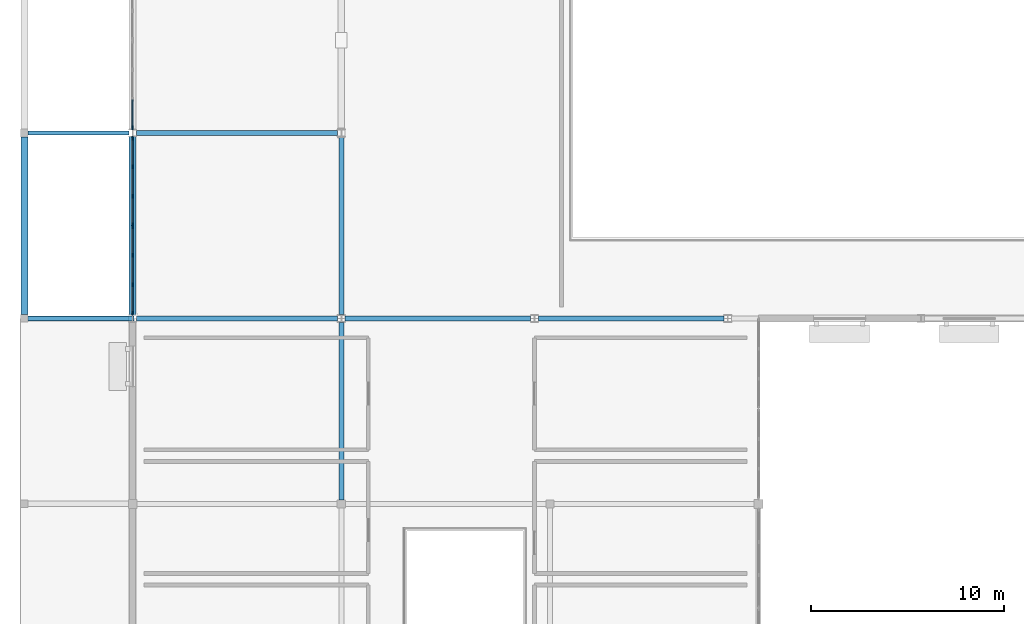
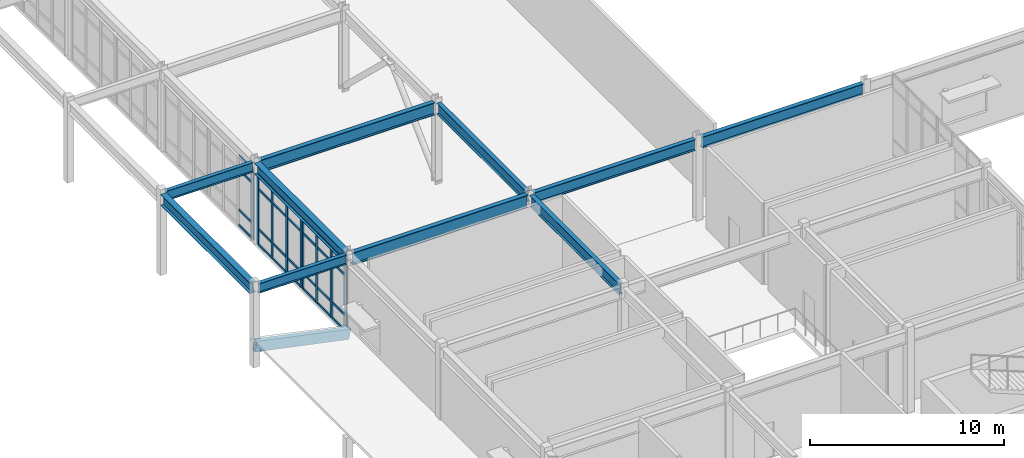
# One storey, part 12 of 72: 38 members, 10 beams, 4 elements without a shape of their own.
"""IFC4 building model written with IfcOpenShell, lengths in metres."""

from ifc_helpers import new_model, si_unit, direction, frame, origin, origin_2d, place, context, subcontext, project, spatial, rectangle, i_section, extrude, material, material_profile, profile_set, type_object, element, aggregate, save


model = new_model("IFC4")

# Units and contexts
model_context = context("Model", 3, precision=1e-05, world=origin(), true_north=direction((0.0, 1.0)))
body_context = subcontext(model_context, "Body", "Model", "MODEL_VIEW")
ifc_project = project(units=[si_unit("LENGTHUNIT", "METRE"), si_unit("AREAUNIT", "SQUARE_METRE"), si_unit("VOLUMEUNIT", "CUBIC_METRE"), si_unit("PLANEANGLEUNIT", "RADIAN"), si_unit("MASSUNIT", "GRAM", prefix="KILO")], contexts=[model_context])

# Site, building, storey
site_placement = place(None, origin())
site = spatial("IfcSite", under=ifc_project, at=site_placement, CompositionType="ELEMENT")
building_placement = place(site_placement, origin())
building = spatial("IfcBuilding", under=site, at=building_placement, Name="Veldera Park Congress Hotel", CompositionType="ELEMENT")
storey_placement = place(building_placement, frame((0.0, 0.0, 5.39990234375)))
storey = spatial("IfcBuildingStorey", under=building, at=storey_placement, Name="L01", CompositionType="ELEMENT", Elevation=5.39990234375)

# Beams
ifc_material_1 = material(Name="Steel ASTM A992 Gr.50", Category="steel")
ifc_material_profile_1 = material_profile(ifc_material_1, i_section(OverallWidth=0.22900390625, OverallDepth=0.612060546875, WebThickness=0.011962890625, FlangeThickness=0.01953125, at=origin_2d()), Name="W24X84")
ifc_profile_set_1 = profile_set([ifc_material_profile_1], Name="Steel ASTM A992 Gr.50")
beam_type_1 = type_object("IfcBeamType", Name="BM-W24", PredefinedType="BEAM", material=ifc_profile_set_1)
for number, where, z_axis, x_axis, name in (
    (1, (-83.60498046875, -21.0, 4.82421875), (1.0, 0.0, 0.0), (0.0, 1.0, 0.0), "L01 Girder BM-W24 569"),
    (2, (-83.60498046875, -11.39990234375, 4.82421875), (1.0, 0.0, 0.0), (0.0, 1.0, 0.0), "L01 Girder BM-W24 580"),
):
    element("IfcBeam", number, at=place(storey_placement, frame(where, z_axis=z_axis, x_axis=x_axis)), inside=storey, type_object=beam_type_1, Name=name, PredefinedType="BEAM", context=body_context, shape_type="SweptSolid", body=[
        extrude(i_section(OverallWidth=0.22900390625, OverallDepth=0.612060546875, WebThickness=0.011962890625, FlangeThickness=0.01953125, at=origin_2d()), origin(), (0.0, 0.0, 1.0), 5.2080078125),
    ])
ifc_material_profile_2 = material_profile(ifc_material_1, i_section(OverallWidth=0.256103515625, OverallDepth=0.693115234375, WebThickness=0.014404296875, FlangeThickness=0.023681640625, at=origin_2d()), Name="W27X114")
ifc_profile_set_2 = profile_set([ifc_material_profile_2], Name="Steel ASTM A992 Gr.50")
beam_type_2 = type_object("IfcBeamType", Name="BM-W27", PredefinedType="BEAM", material=ifc_profile_set_2)
beam_1_placement = place(storey_placement, frame((-67.39990234375, -30.389892578125, 4.78369140625), z_axis=(0.0, 1.0, 0.0), x_axis=(-1.0, 0.0, 0.0)))
element("IfcBeam", 3, at=beam_1_placement, inside=storey, type_object=beam_type_2, Name="L01 Girder BM-W27 676", PredefinedType="BEAM", context=body_context, shape_type="SweptSolid", body=[
    extrude(i_section(OverallWidth=0.256103515625, OverallDepth=0.693115234375, WebThickness=0.014404296875, FlangeThickness=0.023681640625, at=origin_2d()), origin(), (0.0, 0.0, 1.0), 9.1904296875),
])
beam_2_placement = place(storey_placement, frame((-67.39990234375, -20.800537109375, 4.78369140625), z_axis=(0.0, 1.0, 0.0), x_axis=(-1.0, 0.0, 0.0)))
element("IfcBeam", 4, at=beam_2_placement, inside=storey, type_object=beam_type_2, Name="L01 Girder BM-W27 677", PredefinedType="BEAM", context=body_context, shape_type="SweptSolid", body=[
    extrude(i_section(OverallWidth=0.256103515625, OverallDepth=0.693115234375, WebThickness=0.014404296875, FlangeThickness=0.023681640625, at=origin_2d()), origin(), (0.0, 0.0, 1.0), 9.200927734375),
])
ifc_material_profile_3 = material_profile(ifc_material_1, i_section(OverallWidth=0.25390625, OverallDepth=0.700927734375, WebThickness=0.015380859375, FlangeThickness=0.02783203125, at=origin_2d()), Name="W27X129")
ifc_profile_set_3 = profile_set([ifc_material_profile_3], Name="Steel ASTM A992 Gr.50")
beam_type_3 = type_object("IfcBeamType", Name="BM-W27B", PredefinedType="BEAM", material=ifc_profile_set_3)
beam_3_placement = place(storey_placement, frame((-67.199462890625, -21.0, 4.779541015625), z_axis=(1.0, 0.0, 0.0), x_axis=(0.0, 1.0, 0.0)))
element("IfcBeam", 5, at=beam_3_placement, inside=storey, type_object=beam_type_3, Name="L01 Girder BM-W27B 571", PredefinedType="BEAM", context=body_context, shape_type="SweptSolid", body=[
    extrude(i_section(OverallWidth=0.25390625, OverallDepth=0.700927734375, WebThickness=0.015380859375, FlangeThickness=0.02783203125, at=origin_2d()), origin(), (0.0, 0.0, 1.0), 9.6015625),
])
beam_4_placement = place(storey_placement, frame((-57.201904296875, -21.0, 4.779541015625), z_axis=(1.0, 0.0, 0.0), x_axis=(0.0, 1.0, 0.0)))
element("IfcBeam", 6, at=beam_4_placement, inside=storey, type_object=beam_type_3, Name="L01 Girder BM-W27B 572", PredefinedType="BEAM", context=body_context, shape_type="SweptSolid", body=[
    extrude(i_section(OverallWidth=0.25390625, OverallDepth=0.700927734375, WebThickness=0.015380859375, FlangeThickness=0.02783203125, at=origin_2d()), origin(), (0.0, 0.0, 1.0), 9.60400390625),
])
ifc_material_profile_4 = material_profile(ifc_material_1, i_section(OverallWidth=0.35498046875, OverallDepth=0.696044921875, WebThickness=0.015380859375, FlangeThickness=0.02490234375, at=origin_2d()), Name="W27X146")
ifc_profile_set_4 = profile_set([ifc_material_profile_4], Name="Steel ASTM A992 Gr.50")
beam_type_4 = type_object("IfcBeamType", Name="BM-W27E", PredefinedType="BEAM", material=ifc_profile_set_4)
beam_5_placement = place(storey_placement, frame((-83.800048828125, -20.804931640625, 4.781982421875), z_axis=(0.0, 1.0, 0.0), x_axis=(-1.0, 0.0, 0.0)))
element("IfcBeam", 7, at=beam_5_placement, inside=storey, type_object=beam_type_4, Name="L01 Girder BM-W27E 659", PredefinedType="BEAM", context=body_context, shape_type="SweptSolid", body=[
    extrude(i_section(OverallWidth=0.35498046875, OverallDepth=0.696044921875, WebThickness=0.015380859375, FlangeThickness=0.02490234375, at=origin_2d()), origin(), (0.0, 0.0, 1.0), 9.2099609375),
])
beam_6_placement = place(storey_placement, frame((-78.199951171875, -20.8125, 4.781982421875), z_axis=(0.0, 1.0, 0.0), x_axis=(-1.0, 0.0, 0.0)))
element("IfcBeam", 8, at=beam_6_placement, inside=storey, type_object=beam_type_4, Name="L01 Girder BM-W27E 668", PredefinedType="BEAM", context=body_context, shape_type="SweptSolid", body=[
    extrude(i_section(OverallWidth=0.35498046875, OverallDepth=0.696044921875, WebThickness=0.015380859375, FlangeThickness=0.02490234375, at=origin_2d()), origin(), (0.0, 0.0, 1.0), 9.22509765625),
])
ifc_material_profile_5 = material_profile(ifc_material_1, i_section(OverallWidth=0.26708984375, OverallDepth=0.779052734375, WebThickness=0.0166015625, FlangeThickness=0.030029296875, at=origin_2d()), Name="W30X148")
ifc_profile_set_5 = profile_set([ifc_material_profile_5], Name="Steel ASTM A992 Gr.50")
beam_type_5 = type_object("IfcBeamType", Name="BM-W30", PredefinedType="BEAM", material=ifc_profile_set_5)
for number, where, z_axis, x_axis, name in (
    (9, (-78.0029296875, -21.0, 4.740478515625), (1.0, 0.0, 0.0), (0.0, 1.0, 0.0), "L01 Girder BM-W30 570"),
    (10, (-78.0029296875, -11.39990234375, 4.740478515625), (1.0, 0.0, 0.0), (0.0, 1.0, 0.0), "L01 Girder BM-W30 581"),
):
    element("IfcBeam", number, at=place(storey_placement, frame(where, z_axis=z_axis, x_axis=x_axis)), inside=storey, type_object=beam_type_5, Name=name, PredefinedType="BEAM", context=body_context, shape_type="SweptSolid", body=[
        extrude(i_section(OverallWidth=0.26708984375, OverallDepth=0.779052734375, WebThickness=0.0166015625, FlangeThickness=0.030029296875, at=origin_2d()), origin(), (0.0, 0.0, 1.0), 10.40234375),
    ])

# Curtain wall, member
ifc_material_2 = material(Name="Low-E Triple Insulating Glass Unit (SHGC 0.22)", Category="glass")
curtain_wall_type = type_object("IfcCurtainWallType", Name="CW-CNG", PredefinedType="NOTDEFINED", material=ifc_material_2)
curtain_wall_1_placement = place(storey_placement, origin())
curtain_wall_1 = element("IfcCurtainWall", 11, at=curtain_wall_1_placement, inside=storey, type_object=curtain_wall_type, Name="L01 Curtain Wall CW3-V1W-L01-018", PredefinedType="NOTDEFINED")
ifc_material_3 = material(Name="Anodised Aluminium Alloy 6063-T6", Category="aluminium")
ifc_material_profile_6 = material_profile(ifc_material_3, rectangle(XDim=0.074951171875, YDim=0.199951171875, at=origin_2d()), Name="ALU 75x200")
ifc_profile_set_6 = profile_set([ifc_material_profile_6], Name="Anodised Aluminium Alloy 6063-T6")
member_type_1 = type_object("IfcMemberType", Name="CWM-200", PredefinedType="MULLION", material=ifc_profile_set_6)
member_1_placement = place(storey_placement, frame((-78.199951171875, -11.135009765625, 0.0), z_axis=(0.0, 0.0, 1.0), x_axis=(1.0, 0.0, 0.0)))
member_1 = element("IfcMember", 12, at=member_1_placement, type_object=member_type_1, Name="CW-CNG mullion 4", PredefinedType="MULLION", context=body_context, shape_type="SweptSolid", body=[
    extrude(rectangle(XDim=0.074951171875, YDim=0.199951171875, at=origin_2d()), origin(), (0.0, 0.0, 1.0), 4.42919921875),
])

# Curtain wall, members
curtain_wall_2_placement = place(storey_placement, origin())
curtain_wall_2 = element("IfcCurtainWall", 13, at=curtain_wall_2_placement, inside=storey, type_object=curtain_wall_type, Name="L01 Curtain Wall CW3-V1W-L01-019", PredefinedType="NOTDEFINED")
member_2_placement = place(storey_placement, frame((-78.199951171875, -11.6650390625, 0.0), z_axis=(0.0, 0.0, 1.0), x_axis=(1.0, 0.0, 0.0)))
member_2 = element("IfcMember", 14, at=member_2_placement, type_object=member_type_1, Name="CW-CNG mullion 1", PredefinedType="MULLION", context=body_context, shape_type="SweptSolid", body=[
    extrude(rectangle(XDim=0.074951171875, YDim=0.199951171875, at=origin_2d()), origin(), (0.0, 0.0, 1.0), 4.42919921875),
])
member_3_placement = place(storey_placement, frame((-78.199951171875, -13.146728515625, 0.0), z_axis=(0.0, 0.0, 1.0), x_axis=(1.0, 0.0, 0.0)))
member_3 = element("IfcMember", 15, at=member_3_placement, type_object=member_type_1, Name="CW-CNG mullion 2", PredefinedType="MULLION", context=body_context, shape_type="SweptSolid", body=[
    extrude(rectangle(XDim=0.074951171875, YDim=0.199951171875, at=origin_2d()), origin(), (0.0, 0.0, 1.0), 4.42919921875),
])
member_4_placement = place(storey_placement, frame((-78.199951171875, -14.665771484375, 0.0), z_axis=(0.0, 0.0, 1.0), x_axis=(1.0, 0.0, 0.0)))
member_4 = element("IfcMember", 16, at=member_4_placement, type_object=member_type_1, Name="CW-CNG mullion 3", PredefinedType="MULLION", context=body_context, shape_type="SweptSolid", body=[
    extrude(rectangle(XDim=0.074951171875, YDim=0.199951171875, at=origin_2d()), origin(), (0.0, 0.0, 1.0), 4.42919921875),
])
member_5_placement = place(storey_placement, frame((-78.199951171875, -16.1474609375, 0.0), z_axis=(0.0, 0.0, 1.0), x_axis=(1.0, 0.0, 0.0)))
member_5 = element("IfcMember", 17, at=member_5_placement, type_object=member_type_1, Name="CW-CNG mullion 4", PredefinedType="MULLION", context=body_context, shape_type="SweptSolid", body=[
    extrude(rectangle(XDim=0.074951171875, YDim=0.199951171875, at=origin_2d()), origin(), (0.0, 0.0, 1.0), 4.42919921875),
])

curtain_wall_3_placement = place(storey_placement, origin())
curtain_wall_3 = element("IfcCurtainWall", 18, at=curtain_wall_3_placement, inside=storey, type_object=curtain_wall_type, Name="L01 Curtain Wall CW3-V1W-L01-020", PredefinedType="NOTDEFINED")
member_6_placement = place(storey_placement, frame((-78.199951171875, -16.25244140625, 0.0), z_axis=(0.0, 0.0, 1.0), x_axis=(1.0, 0.0, 0.0)))
member_6 = element("IfcMember", 19, at=member_6_placement, type_object=member_type_1, Name="CW-CNG mullion 1", PredefinedType="MULLION", context=body_context, shape_type="SweptSolid", body=[
    extrude(rectangle(XDim=0.074951171875, YDim=0.199951171875, at=origin_2d()), origin(), (0.0, 0.0, 1.0), 4.42919921875),
])
member_7_placement = place(storey_placement, frame((-78.199951171875, -17.734130859375, 0.0), z_axis=(0.0, 0.0, 1.0), x_axis=(1.0, 0.0, 0.0)))
member_7 = element("IfcMember", 20, at=member_7_placement, type_object=member_type_1, Name="CW-CNG mullion 2", PredefinedType="MULLION", context=body_context, shape_type="SweptSolid", body=[
    extrude(rectangle(XDim=0.074951171875, YDim=0.199951171875, at=origin_2d()), origin(), (0.0, 0.0, 1.0), 4.42919921875),
])
member_8_placement = place(storey_placement, frame((-78.199951171875, -19.25341796875, 0.0), z_axis=(0.0, 0.0, 1.0), x_axis=(1.0, 0.0, 0.0)))
member_8 = element("IfcMember", 21, at=member_8_placement, type_object=member_type_1, Name="CW-CNG mullion 3", PredefinedType="MULLION", context=body_context, shape_type="SweptSolid", body=[
    extrude(rectangle(XDim=0.074951171875, YDim=0.199951171875, at=origin_2d()), origin(), (0.0, 0.0, 1.0), 4.42919921875),
])
member_9_placement = place(storey_placement, frame((-78.199951171875, -20.735107421875, 0.0), z_axis=(0.0, 0.0, 1.0), x_axis=(1.0, 0.0, 0.0)))
member_9 = element("IfcMember", 22, at=member_9_placement, type_object=member_type_1, Name="CW-CNG mullion 4", PredefinedType="MULLION", context=body_context, shape_type="SweptSolid", body=[
    extrude(rectangle(XDim=0.074951171875, YDim=0.199951171875, at=origin_2d()), origin(), (0.0, 0.0, 1.0), 4.42919921875),
])

# Member
ifc_material_profile_7 = material_profile(ifc_material_3, rectangle(XDim=0.074951171875, YDim=0.14990234375, at=origin_2d()), Name="ALU 75x150")
ifc_profile_set_7 = profile_set([ifc_material_profile_7], Name="Anodised Aluminium Alloy 6063-T6")
member_type_2 = type_object("IfcMemberType", Name="CWT-150", PredefinedType="USERDEFINED", material=ifc_profile_set_7)
member_10_placement = place(storey_placement, frame((-78.199951171875, -9.69091796875, 0.03759765625), z_axis=(0.0, -1.0, 0.0), x_axis=(1.0, 0.0, 0.0)))
member_10 = element("IfcMember", 23, at=member_10_placement, type_object=member_type_2, Name="CW-CNG transom 3.1", ObjectType="TRANSOM", PredefinedType="USERDEFINED", context=body_context, shape_type="SweptSolid", body=[
    extrude(rectangle(XDim=0.074951171875, YDim=0.14990234375, at=origin_2d()), origin(), (0.0, 0.0, 1.0), 1.406494140625),
])

member_11_placement = place(storey_placement, frame((-78.199951171875, -9.69091796875, 1.0), z_axis=(0.0, -1.0, 0.0), x_axis=(1.0, 0.0, 0.0)))
member_11 = element("IfcMember", 24, at=member_11_placement, type_object=member_type_2, Name="CW-CNG transom 3.2", ObjectType="TRANSOM", PredefinedType="USERDEFINED", context=body_context, shape_type="SweptSolid", body=[
    extrude(rectangle(XDim=0.074951171875, YDim=0.14990234375, at=origin_2d()), origin(), (0.0, 0.0, 1.0), 1.406494140625),
])

member_12_placement = place(storey_placement, frame((-78.199951171875, -9.69091796875, 3.529052734375), z_axis=(0.0, -1.0, 0.0), x_axis=(1.0, 0.0, 0.0)))
member_12 = element("IfcMember", 25, at=member_12_placement, type_object=member_type_2, Name="CW-CNG transom 3.3", ObjectType="TRANSOM", PredefinedType="USERDEFINED", context=body_context, shape_type="SweptSolid", body=[
    extrude(rectangle(XDim=0.074951171875, YDim=0.14990234375, at=origin_2d()), origin(), (0.0, 0.0, 1.0), 1.406494140625),
])

member_13_placement = place(storey_placement, frame((-78.199951171875, -9.69091796875, 4.3916015625), z_axis=(0.0, -1.0, 0.0), x_axis=(1.0, 0.0, 0.0)))
member_13 = element("IfcMember", 26, at=member_13_placement, type_object=member_type_2, Name="CW-CNG transom 3.4", ObjectType="TRANSOM", PredefinedType="USERDEFINED", context=body_context, shape_type="SweptSolid", body=[
    extrude(rectangle(XDim=0.074951171875, YDim=0.14990234375, at=origin_2d()), origin(), (0.0, 0.0, 1.0), 1.406494140625),
])

aggregate(curtain_wall_1, [member_1, member_10, member_11, member_12, member_13])

member_14_placement = place(storey_placement, frame((-78.199951171875, -11.702392578125, 0.03759765625), z_axis=(0.0, -1.0, 0.0), x_axis=(1.0, 0.0, 0.0)))
member_14 = element("IfcMember", 27, at=member_14_placement, type_object=member_type_2, Name="CW-CNG transom 1.1", ObjectType="TRANSOM", PredefinedType="USERDEFINED", context=body_context, shape_type="SweptSolid", body=[
    extrude(rectangle(XDim=0.074951171875, YDim=0.14990234375, at=origin_2d()), origin(), (0.0, 0.0, 1.0), 1.40673828125),
])

member_15_placement = place(storey_placement, frame((-78.199951171875, -11.702392578125, 1.0), z_axis=(0.0, -1.0, 0.0), x_axis=(1.0, 0.0, 0.0)))
member_15 = element("IfcMember", 28, at=member_15_placement, type_object=member_type_2, Name="CW-CNG transom 1.2", ObjectType="TRANSOM", PredefinedType="USERDEFINED", context=body_context, shape_type="SweptSolid", body=[
    extrude(rectangle(XDim=0.074951171875, YDim=0.14990234375, at=origin_2d()), origin(), (0.0, 0.0, 1.0), 1.40673828125),
])

member_16_placement = place(storey_placement, frame((-78.199951171875, -11.702392578125, 3.529052734375), z_axis=(0.0, -1.0, 0.0), x_axis=(1.0, 0.0, 0.0)))
member_16 = element("IfcMember", 29, at=member_16_placement, type_object=member_type_2, Name="CW-CNG transom 1.3", ObjectType="TRANSOM", PredefinedType="USERDEFINED", context=body_context, shape_type="SweptSolid", body=[
    extrude(rectangle(XDim=0.074951171875, YDim=0.14990234375, at=origin_2d()), origin(), (0.0, 0.0, 1.0), 1.40673828125),
])

member_17_placement = place(storey_placement, frame((-78.199951171875, -11.702392578125, 4.3916015625), z_axis=(0.0, -1.0, 0.0), x_axis=(1.0, 0.0, 0.0)))
member_17 = element("IfcMember", 30, at=member_17_placement, type_object=member_type_2, Name="CW-CNG transom 1.4", ObjectType="TRANSOM", PredefinedType="USERDEFINED", context=body_context, shape_type="SweptSolid", body=[
    extrude(rectangle(XDim=0.074951171875, YDim=0.14990234375, at=origin_2d()), origin(), (0.0, 0.0, 1.0), 1.40673828125),
])

member_18_placement = place(storey_placement, frame((-78.199951171875, -13.18408203125, 0.03759765625), z_axis=(0.0, -1.0, 0.0), x_axis=(1.0, 0.0, 0.0)))
member_18 = element("IfcMember", 31, at=member_18_placement, type_object=member_type_2, Name="CW-CNG transom 2.1", ObjectType="TRANSOM", PredefinedType="USERDEFINED", context=body_context, shape_type="SweptSolid", body=[
    extrude(rectangle(XDim=0.074951171875, YDim=0.14990234375, at=origin_2d()), origin(), (0.0, 0.0, 1.0), 1.4443359375),
])

member_19_placement = place(storey_placement, frame((-78.199951171875, -13.18408203125, 1.0), z_axis=(0.0, -1.0, 0.0), x_axis=(1.0, 0.0, 0.0)))
member_19 = element("IfcMember", 32, at=member_19_placement, type_object=member_type_2, Name="CW-CNG transom 2.2", ObjectType="TRANSOM", PredefinedType="USERDEFINED", context=body_context, shape_type="SweptSolid", body=[
    extrude(rectangle(XDim=0.074951171875, YDim=0.14990234375, at=origin_2d()), origin(), (0.0, 0.0, 1.0), 1.4443359375),
])

member_20_placement = place(storey_placement, frame((-78.199951171875, -13.18408203125, 3.529052734375), z_axis=(0.0, -1.0, 0.0), x_axis=(1.0, 0.0, 0.0)))
member_20 = element("IfcMember", 33, at=member_20_placement, type_object=member_type_2, Name="CW-CNG transom 2.3", ObjectType="TRANSOM", PredefinedType="USERDEFINED", context=body_context, shape_type="SweptSolid", body=[
    extrude(rectangle(XDim=0.074951171875, YDim=0.14990234375, at=origin_2d()), origin(), (0.0, 0.0, 1.0), 1.4443359375),
])

member_21_placement = place(storey_placement, frame((-78.199951171875, -13.18408203125, 4.3916015625), z_axis=(0.0, -1.0, 0.0), x_axis=(1.0, 0.0, 0.0)))
member_21 = element("IfcMember", 34, at=member_21_placement, type_object=member_type_2, Name="CW-CNG transom 2.4", ObjectType="TRANSOM", PredefinedType="USERDEFINED", context=body_context, shape_type="SweptSolid", body=[
    extrude(rectangle(XDim=0.074951171875, YDim=0.14990234375, at=origin_2d()), origin(), (0.0, 0.0, 1.0), 1.4443359375),
])

member_22_placement = place(storey_placement, frame((-78.199951171875, -14.703369140625, 0.03759765625), z_axis=(0.0, -1.0, 0.0), x_axis=(1.0, 0.0, 0.0)))
member_22 = element("IfcMember", 35, at=member_22_placement, type_object=member_type_2, Name="CW-CNG transom 3.1", ObjectType="TRANSOM", PredefinedType="USERDEFINED", context=body_context, shape_type="SweptSolid", body=[
    extrude(rectangle(XDim=0.074951171875, YDim=0.14990234375, at=origin_2d()), origin(), (0.0, 0.0, 1.0), 1.40673828125),
])

member_23_placement = place(storey_placement, frame((-78.199951171875, -14.703369140625, 1.0), z_axis=(0.0, -1.0, 0.0), x_axis=(1.0, 0.0, 0.0)))
member_23 = element("IfcMember", 36, at=member_23_placement, type_object=member_type_2, Name="CW-CNG transom 3.2", ObjectType="TRANSOM", PredefinedType="USERDEFINED", context=body_context, shape_type="SweptSolid", body=[
    extrude(rectangle(XDim=0.074951171875, YDim=0.14990234375, at=origin_2d()), origin(), (0.0, 0.0, 1.0), 1.40673828125),
])

member_24_placement = place(storey_placement, frame((-78.199951171875, -14.703369140625, 3.529052734375), z_axis=(0.0, -1.0, 0.0), x_axis=(1.0, 0.0, 0.0)))
member_24 = element("IfcMember", 37, at=member_24_placement, type_object=member_type_2, Name="CW-CNG transom 3.3", ObjectType="TRANSOM", PredefinedType="USERDEFINED", context=body_context, shape_type="SweptSolid", body=[
    extrude(rectangle(XDim=0.074951171875, YDim=0.14990234375, at=origin_2d()), origin(), (0.0, 0.0, 1.0), 1.40673828125),
])

member_25_placement = place(storey_placement, frame((-78.199951171875, -14.703369140625, 4.3916015625), z_axis=(0.0, -1.0, 0.0), x_axis=(1.0, 0.0, 0.0)))
member_25 = element("IfcMember", 38, at=member_25_placement, type_object=member_type_2, Name="CW-CNG transom 3.4", ObjectType="TRANSOM", PredefinedType="USERDEFINED", context=body_context, shape_type="SweptSolid", body=[
    extrude(rectangle(XDim=0.074951171875, YDim=0.14990234375, at=origin_2d()), origin(), (0.0, 0.0, 1.0), 1.40673828125),
])

aggregate(curtain_wall_2, [member_2, member_3, member_4, member_5, member_14, member_15, member_16, member_17, member_18, member_19, member_20, member_21, member_22, member_23, member_24, member_25])

member_26_placement = place(storey_placement, frame((-78.199951171875, -16.2900390625, 0.03759765625), z_axis=(0.0, -1.0, 0.0), x_axis=(1.0, 0.0, 0.0)))
member_26 = element("IfcMember", 39, at=member_26_placement, type_object=member_type_2, Name="CW-CNG transom 1.1", ObjectType="TRANSOM", PredefinedType="USERDEFINED", context=body_context, shape_type="SweptSolid", body=[
    extrude(rectangle(XDim=0.074951171875, YDim=0.14990234375, at=origin_2d()), origin(), (0.0, 0.0, 1.0), 1.40673828125),
])

member_27_placement = place(storey_placement, frame((-78.199951171875, -16.2900390625, 1.0), z_axis=(0.0, -1.0, 0.0), x_axis=(1.0, 0.0, 0.0)))
member_27 = element("IfcMember", 40, at=member_27_placement, type_object=member_type_2, Name="CW-CNG transom 1.2", ObjectType="TRANSOM", PredefinedType="USERDEFINED", context=body_context, shape_type="SweptSolid", body=[
    extrude(rectangle(XDim=0.074951171875, YDim=0.14990234375, at=origin_2d()), origin(), (0.0, 0.0, 1.0), 1.40673828125),
])

member_28_placement = place(storey_placement, frame((-78.199951171875, -16.2900390625, 3.529052734375), z_axis=(0.0, -1.0, 0.0), x_axis=(1.0, 0.0, 0.0)))
member_28 = element("IfcMember", 41, at=member_28_placement, type_object=member_type_2, Name="CW-CNG transom 1.3", ObjectType="TRANSOM", PredefinedType="USERDEFINED", context=body_context, shape_type="SweptSolid", body=[
    extrude(rectangle(XDim=0.074951171875, YDim=0.14990234375, at=origin_2d()), origin(), (0.0, 0.0, 1.0), 1.40673828125),
])

member_29_placement = place(storey_placement, frame((-78.199951171875, -16.2900390625, 4.3916015625), z_axis=(0.0, -1.0, 0.0), x_axis=(1.0, 0.0, 0.0)))
member_29 = element("IfcMember", 42, at=member_29_placement, type_object=member_type_2, Name="CW-CNG transom 1.4", ObjectType="TRANSOM", PredefinedType="USERDEFINED", context=body_context, shape_type="SweptSolid", body=[
    extrude(rectangle(XDim=0.074951171875, YDim=0.14990234375, at=origin_2d()), origin(), (0.0, 0.0, 1.0), 1.40673828125),
])

member_30_placement = place(storey_placement, frame((-78.199951171875, -17.771728515625, 0.03759765625), z_axis=(0.0, -1.0, 0.0), x_axis=(1.0, 0.0, 0.0)))
member_30 = element("IfcMember", 43, at=member_30_placement, type_object=member_type_2, Name="CW-CNG transom 2.1", ObjectType="TRANSOM", PredefinedType="USERDEFINED", context=body_context, shape_type="SweptSolid", body=[
    extrude(rectangle(XDim=0.074951171875, YDim=0.14990234375, at=origin_2d()), origin(), (0.0, 0.0, 1.0), 1.444091796875),
])

member_31_placement = place(storey_placement, frame((-78.199951171875, -17.771728515625, 1.0), z_axis=(0.0, -1.0, 0.0), x_axis=(1.0, 0.0, 0.0)))
member_31 = element("IfcMember", 44, at=member_31_placement, type_object=member_type_2, Name="CW-CNG transom 2.2", ObjectType="TRANSOM", PredefinedType="USERDEFINED", context=body_context, shape_type="SweptSolid", body=[
    extrude(rectangle(XDim=0.074951171875, YDim=0.14990234375, at=origin_2d()), origin(), (0.0, 0.0, 1.0), 1.444091796875),
])

member_32_placement = place(storey_placement, frame((-78.199951171875, -17.771728515625, 3.529052734375), z_axis=(0.0, -1.0, 0.0), x_axis=(1.0, 0.0, 0.0)))
member_32 = element("IfcMember", 45, at=member_32_placement, type_object=member_type_2, Name="CW-CNG transom 2.3", ObjectType="TRANSOM", PredefinedType="USERDEFINED", context=body_context, shape_type="SweptSolid", body=[
    extrude(rectangle(XDim=0.074951171875, YDim=0.14990234375, at=origin_2d()), origin(), (0.0, 0.0, 1.0), 1.444091796875),
])

member_33_placement = place(storey_placement, frame((-78.199951171875, -17.771728515625, 4.3916015625), z_axis=(0.0, -1.0, 0.0), x_axis=(1.0, 0.0, 0.0)))
member_33 = element("IfcMember", 46, at=member_33_placement, type_object=member_type_2, Name="CW-CNG transom 2.4", ObjectType="TRANSOM", PredefinedType="USERDEFINED", context=body_context, shape_type="SweptSolid", body=[
    extrude(rectangle(XDim=0.074951171875, YDim=0.14990234375, at=origin_2d()), origin(), (0.0, 0.0, 1.0), 1.444091796875),
])

member_34_placement = place(storey_placement, frame((-78.199951171875, -19.290771484375, 0.03759765625), z_axis=(0.0, -1.0, 0.0), x_axis=(1.0, 0.0, 0.0)))
member_34 = element("IfcMember", 47, at=member_34_placement, type_object=member_type_2, Name="CW-CNG transom 3.1", ObjectType="TRANSOM", PredefinedType="USERDEFINED", context=body_context, shape_type="SweptSolid", body=[
    extrude(rectangle(XDim=0.074951171875, YDim=0.14990234375, at=origin_2d()), origin(), (0.0, 0.0, 1.0), 1.40673828125),
])

member_35_placement = place(storey_placement, frame((-78.199951171875, -19.290771484375, 1.0), z_axis=(0.0, -1.0, 0.0), x_axis=(1.0, 0.0, 0.0)))
member_35 = element("IfcMember", 48, at=member_35_placement, type_object=member_type_2, Name="CW-CNG transom 3.2", ObjectType="TRANSOM", PredefinedType="USERDEFINED", context=body_context, shape_type="SweptSolid", body=[
    extrude(rectangle(XDim=0.074951171875, YDim=0.14990234375, at=origin_2d()), origin(), (0.0, 0.0, 1.0), 1.40673828125),
])

member_36_placement = place(storey_placement, frame((-78.199951171875, -19.290771484375, 3.529052734375), z_axis=(0.0, -1.0, 0.0), x_axis=(1.0, 0.0, 0.0)))
member_36 = element("IfcMember", 49, at=member_36_placement, type_object=member_type_2, Name="CW-CNG transom 3.3", ObjectType="TRANSOM", PredefinedType="USERDEFINED", context=body_context, shape_type="SweptSolid", body=[
    extrude(rectangle(XDim=0.074951171875, YDim=0.14990234375, at=origin_2d()), origin(), (0.0, 0.0, 1.0), 1.40673828125),
])

member_37_placement = place(storey_placement, frame((-78.199951171875, -19.290771484375, 4.3916015625), z_axis=(0.0, -1.0, 0.0), x_axis=(1.0, 0.0, 0.0)))
member_37 = element("IfcMember", 50, at=member_37_placement, type_object=member_type_2, Name="CW-CNG transom 3.4", ObjectType="TRANSOM", PredefinedType="USERDEFINED", context=body_context, shape_type="SweptSolid", body=[
    extrude(rectangle(XDim=0.074951171875, YDim=0.14990234375, at=origin_2d()), origin(), (0.0, 0.0, 1.0), 1.40673828125),
])

aggregate(curtain_wall_3, [member_6, member_7, member_8, member_9, member_26, member_27, member_28, member_29, member_30, member_31, member_32, member_33, member_34, member_35, member_36, member_37])

# Roof, member
ifc_material_4 = material(Name="Cross-laminated timber CLT V2M1.1", Category="wood")
roof_type = type_object("IfcRoofType", Name="ROOF-SHD", PredefinedType="SHED_ROOF", material=ifc_material_4)
roof_placement = place(storey_placement, origin())
roof = element("IfcRoof", 51, at=roof_placement, inside=storey, type_object=roof_type, Name="Sonoran Shaded Park Arcade Roof", PredefinedType="SHED_ROOF")
ifc_material_5 = material(Name="Glulam GL28h (NDS 24F-V4)", Category="wood")
ifc_material_profile_8 = material_profile(ifc_material_5, rectangle(XDim=0.280029296875, YDim=0.639892578125, at=origin_2d()), Name="GL28h 280x640")
ifc_profile_set_8 = profile_set([ifc_material_profile_8], Name="Glulam GL28h (NDS 24F-V4)")
member_type_3 = type_object("IfcMemberType", Name="RAF-GL640", PredefinedType="RAFTER", material=ifc_profile_set_8)
member_38_placement = place(storey_placement, frame((-83.800048828125, -21.0, 1.25), z_axis=(0.978867370524, 0.0, -0.204496139138), x_axis=(0.0, 1.0, 0.0)))
member_38 = element("IfcMember", 52, at=member_38_placement, type_object=member_type_3, Name="West Park Arcade Rafter 21", PredefinedType="RAFTER", context=body_context, shape_type="SweptSolid", body=[
    extrude(rectangle(XDim=0.280029296875, YDim=0.639892578125, at=origin_2d()), origin(), (0.0, 0.0, 1.0), 5.720947265625),
])
aggregate(roof, [member_38])

save(model, "model.ifc")
